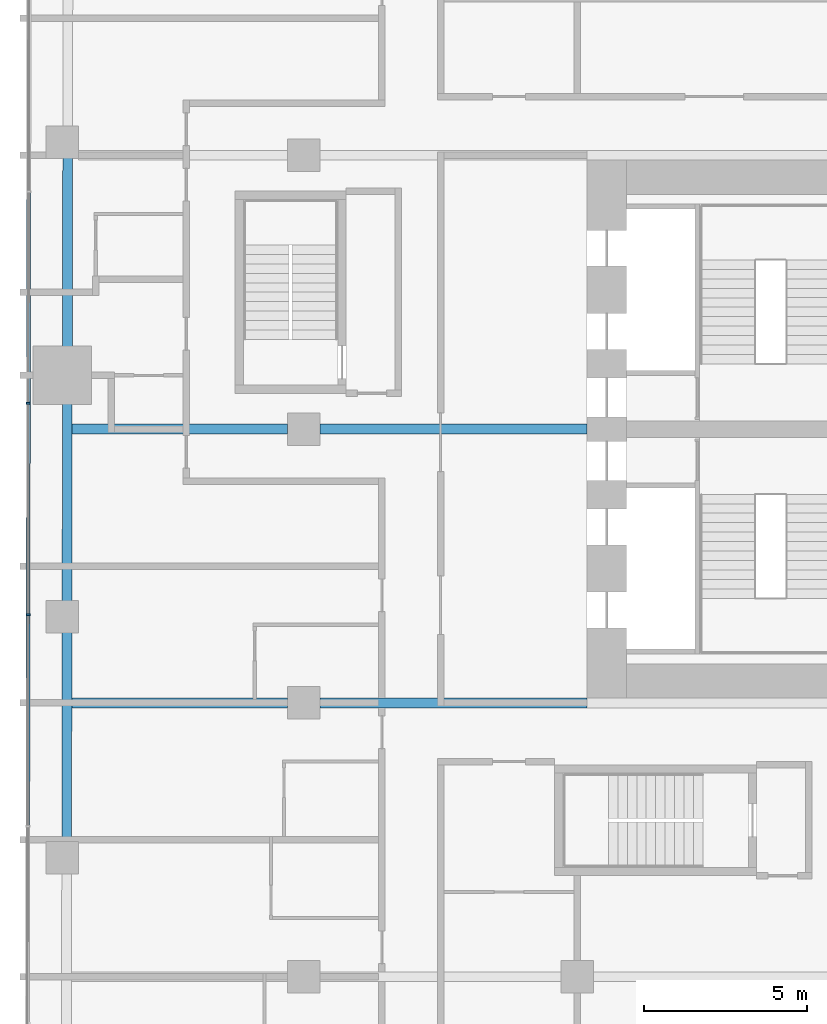
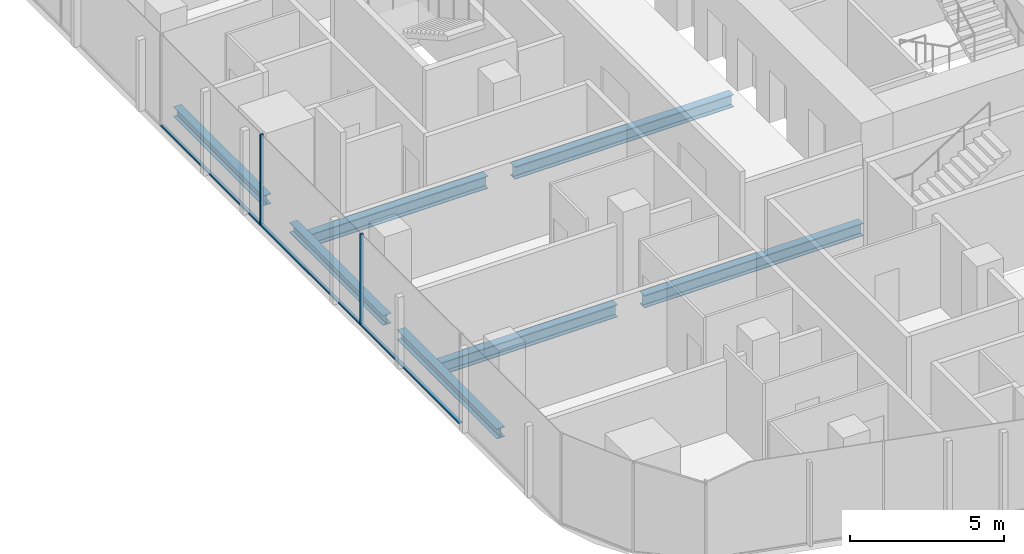
# One storey, part 4 of 26: 7 beams, 5 members, 1 element without a shape of its own.
"""IFC4 building model written with IfcOpenShell, lengths in metres."""

import ifcopenshell
import ifcopenshell.guid

model = None  # the IFC model being written
_history = None  # IfcOwnerHistory: only IFC2X3 demands one
_inside = {}  # id of a spatial element -> (the spatial element, [elements in it])
_under = {}  # id of a project, library or spatial element -> (it, [spatial elements below it])
_declared = {}  # id of a project -> (the project, [libraries it declares])
_typed = {}  # id of a type object -> (the type object, [elements of that type])
_made_of = {}  # id of a material, layer set ... -> (it, [elements and type objects made of it])


def new_model(schema):
    """Start an empty IFC model of exactly this schema.

    Asked for "IFC4X3", IfcOpenShell would pick the latest addendum, in which some entities
    have other attributes; the version numbers below select the first issue.
    IFC2X3 requires an IfcOwnerHistory on every rooted entity: one is made here for all.
    """
    global model, _history
    if schema == "IFC4X3":
        model = ifcopenshell.file(schema_version=(4, 3, 0, 0))
    else:
        model = ifcopenshell.file(schema=schema)
    _inside.clear()
    _under.clear()
    _declared.clear()
    _typed.clear()
    _made_of.clear()
    _history = None
    if model.schema == "IFC2X3":
        org = make("IfcOrganization", Name="unknown")
        user = make(
            "IfcPersonAndOrganization",
            ThePerson=make("IfcPerson", FamilyName="unknown"),
            TheOrganization=org,
        )
        app = make(
            "IfcApplication",
            ApplicationDeveloper=org,
            Version="unknown",
            ApplicationFullName="unknown",
            ApplicationIdentifier="unknown",
        )
        _history = make(
            "IfcOwnerHistory",
            OwningUser=user,
            OwningApplication=app,
            ChangeAction="ADDED",
            CreationDate=0,
        )
    return model


def make(cls, **values):
    """One entity of the class cls with the attributes given. An attribute that is None is left unset."""
    return model.create_entity(
        cls, **{name: value for name, value in values.items() if value is not None}
    )


def rooted(cls, **values):
    """An entity with a GlobalId (a new one), such as an element, a storey or a relation."""
    return make(cls, GlobalId=ifcopenshell.guid.new(), OwnerHistory=_history, **values)


def si_unit(unit_type, name, prefix=None):
    """IfcSIUnit, for example si_unit("LENGTHUNIT", "METRE", prefix="MILLI")."""
    return make("IfcSIUnit", UnitType=unit_type, Prefix=prefix, Name=name)


def assignment(units):
    """IfcUnitAssignment: the units of a project."""
    return None if units is None else make("IfcUnitAssignment", Units=units)


def point(xyz):
    """IfcCartesianPoint."""
    return None if xyz is None else make("IfcCartesianPoint", Coordinates=xyz)


def direction(xyz):
    """IfcDirection."""
    return None if xyz is None else make("IfcDirection", DirectionRatios=xyz)


def frame(location, z_axis=None, x_axis=None):
    """IfcAxis2Placement3D, a coordinate frame: its origin and axes. An axis left out is left unset."""
    return make(
        "IfcAxis2Placement3D",
        Location=point(location),
        Axis=direction(z_axis),
        RefDirection=direction(x_axis),
    )


def frame_2d(location, x_axis=None):
    """IfcAxis2Placement2D, a coordinate frame in the plane: its origin and x axis."""
    return make(
        "IfcAxis2Placement2D", Location=point(location), RefDirection=direction(x_axis)
    )


def origin():
    """The frame at (0, 0, 0) with its axes left unset."""
    return frame((0.0, 0.0, 0.0))


def origin_2d():
    """The frame at (0, 0) in the plane with its x axis left unset."""
    return frame_2d((0.0, 0.0))


def place(relative_to, where):
    """IfcLocalPlacement: puts the frame where relative to a parent placement (None: the world)."""
    return make(
        "IfcLocalPlacement", PlacementRelTo=relative_to, RelativePlacement=where
    )


def context(
    kind, dimensions, precision=None, world=None, true_north=None, identifier=None
):
    """IfcGeometricRepresentationContext, for example the 3D "Model" context."""
    return make(
        "IfcGeometricRepresentationContext",
        ContextIdentifier=identifier,
        ContextType=kind,
        CoordinateSpaceDimension=dimensions,
        Precision=precision,
        WorldCoordinateSystem=world,
        TrueNorth=true_north,
    )


def subcontext(parent, identifier, kind, view, scale=None):
    """IfcGeometricRepresentationSubContext, for example "Body" below "Model"."""
    return make(
        "IfcGeometricRepresentationSubContext",
        ContextIdentifier=identifier,
        ContextType=kind,
        ParentContext=parent,
        TargetScale=scale,
        TargetView=view,
    )


def project(units=None, contexts=None):
    """IfcProject with its units and contexts."""
    return rooted(
        "IfcProject",
        Name="project",
        RepresentationContexts=contexts,
        UnitsInContext=assignment(units),
    )


def spatial(cls, under=None, at=None, **own):
    """A site, building, storey or space (cls), placed at a placement, below another one or the project."""
    s = rooted(cls, ObjectPlacement=at, **own)
    if under is not None:
        _under.setdefault(under.id(), (under, []))[1].append(s)
    return s


def profile(cls, at=None, kind="AREA", **sizes):
    """A parametric profile (cls). Its sizes go by their IFC names, for example OverallWidth=200.0."""
    return make(cls, ProfileType=kind, Position=at, **sizes)


def rectangle(**sizes):
    """IfcRectangleProfileDef."""
    return profile("IfcRectangleProfileDef", **sizes)


def i_section(**sizes):
    """IfcIShapeProfileDef."""
    return profile("IfcIShapeProfileDef", **sizes)


def extrude(swept, where, along, depth):
    """IfcExtrudedAreaSolid: the profile swept, set in the frame where, extruded along a direction by depth."""
    return make(
        "IfcExtrudedAreaSolid",
        SweptArea=swept,
        Position=where,
        ExtrudedDirection=direction(along),
        Depth=depth,
    )


def shape(context_of_items, identifier, shape_type, items):
    """IfcShapeRepresentation: the items that make up one representation, for example the "Body"."""
    return make(
        "IfcShapeRepresentation",
        ContextOfItems=context_of_items,
        RepresentationIdentifier=identifier,
        RepresentationType=shape_type,
        Items=items,
    )


def material(Name=None, Category=None):
    """IfcMaterial."""
    return make("IfcMaterial", Name=Name, Category=Category)


def layer(
    of_material, thickness, ventilated=None, Name=None, Category=None, Priority=None
):
    """IfcMaterialLayer: one layer of a wall or slab, of a material (None: an air gap)."""
    return make(
        "IfcMaterialLayer",
        Material=of_material,
        LayerThickness=thickness,
        IsVentilated=ventilated,
        Name=Name,
        Category=Category,
        Priority=Priority,
    )


def layer_set(layers, Name=None):
    """IfcMaterialLayerSet."""
    return make("IfcMaterialLayerSet", MaterialLayers=layers, LayerSetName=Name)


def material_profile(
    of_material, cross_section, Name=None, Category=None, Priority=None
):
    """IfcMaterialProfile: a cross section and its material."""
    return make(
        "IfcMaterialProfile",
        Name=Name,
        Material=of_material,
        Profile=cross_section,
        Priority=Priority,
        Category=Category,
    )


def profile_set(profiles, Name=None, composite=None):
    """IfcMaterialProfileSet."""
    return make(
        "IfcMaterialProfileSet",
        Name=Name,
        MaterialProfiles=profiles,
        CompositeProfile=composite,
    )


def made_of(thing, what):
    """Note that an element or type object is made of a material, layer set ...; save() writes the relation."""
    if what is not None:
        _made_of.setdefault(what.id(), (what, []))[1].append(thing)
    return thing


def type_object(cls, material=None, **own):
    """A type object (cls), such as IfcWallType, which elements share."""
    return made_of(rooted(cls, **own), material)


def element(
    cls,
    number,
    at=None,
    inside=None,
    cuts=None,
    type_object=None,
    material=None,
    context=None,
    identifier="Body",
    shape_type=None,
    held_by="IfcProductDefinitionShape",
    body=None,
    shapes=None,
    **own,
):
    """One element of the class cls, such as IfcWall. Its Tag is "e" and its number.

    at: its placement. inside: the storey or other place that contains it. cuts: it is an
    opening in that element (IfcRelVoidsElement). A single representation is given by context,
    identifier, shape_type and body (its items); several are given by shapes. held_by: the class
    of the entity that holds the representations. save() writes the other relations.
    """
    e = rooted(cls, Tag="e%d" % number, ObjectPlacement=at, **own)
    if body is not None:
        shapes = [shape(context, identifier, shape_type, body)]
    if shapes is not None:
        e.Representation = make(held_by, Representations=shapes)
    if inside is not None:
        _inside.setdefault(inside.id(), (inside, []))[1].append(e)
    if cuts is not None:
        rooted(
            "IfcRelVoidsElement", RelatingBuildingElement=cuts, RelatedOpeningElement=e
        )
    if type_object is not None:
        _typed.setdefault(type_object.id(), (type_object, []))[1].append(e)
    return made_of(e, material)


def aggregate(whole, parts):
    """IfcRelAggregates: a whole, such as a stair, and the parts it consists of."""
    return rooted("IfcRelAggregates", RelatingObject=whole, RelatedObjects=parts)


def save(model, path):
    """Write the relations noted so far, then the file.

    IfcRelAggregates (storeys below a building ...), IfcRelContainedInSpatialStructure (elements
    in a storey), IfcRelDefinesByType, IfcRelAssociatesMaterial and IfcRelDeclares: one each for
    every whole, place, type object, material and project.
    """
    for whole, parts in _under.values():
        aggregate(whole, parts)
    for where, things in _inside.values():
        rooted(
            "IfcRelContainedInSpatialStructure",
            RelatedElements=things,
            RelatingStructure=where,
        )
    for kind, things in _typed.values():
        rooted("IfcRelDefinesByType", RelatedObjects=things, RelatingType=kind)
    for what, things in _made_of.values():
        rooted("IfcRelAssociatesMaterial", RelatedObjects=things, RelatingMaterial=what)
    for by, libraries in _declared.values():
        rooted("IfcRelDeclares", RelatingContext=by, RelatedDefinitions=libraries)
    model.write(path)


model = new_model("IFC4")

# Units and contexts
model_context = context("Model", 3, precision=1e-05, world=origin(), true_north=direction((0.0, 1.0)))
body_context = subcontext(model_context, "Body", "Model", "MODEL_VIEW")
ifc_project = project(units=[si_unit("LENGTHUNIT", "METRE"), si_unit("AREAUNIT", "SQUARE_METRE"), si_unit("VOLUMEUNIT", "CUBIC_METRE"), si_unit("PLANEANGLEUNIT", "RADIAN"), si_unit("MASSUNIT", "GRAM", prefix="KILO")], contexts=[model_context])

# Site, building, storey
site_placement = place(None, origin())
site = spatial("IfcSite", under=ifc_project, at=site_placement, CompositionType="ELEMENT")
building_placement = place(site_placement, origin())
building = spatial("IfcBuilding", under=site, at=building_placement, Name="Marenta Gate Hotel Tower", CompositionType="ELEMENT")
storey_placement = place(building_placement, frame((0.0, 0.0, 43.699951171875)))
storey = spatial("IfcBuildingStorey", under=building, at=storey_placement, Name="L08", CompositionType="ELEMENT", Elevation=43.699951171875)

# Beams
ifc_material_1 = material(Name="Steel S355", Category="steel")
ifc_material_profile_1 = material_profile(ifc_material_1, i_section(OverallWidth=0.300048828125, OverallDepth=0.39990234375, WebThickness=0.013427734375, FlangeThickness=0.02392578125, FilletRadius=0.027099609375, at=origin_2d()), Name="HEB 400")
ifc_profile_set_1 = profile_set([ifc_material_profile_1], Name="Steel S355")
beam_type_1 = type_object("IfcBeamType", Name="Edge beam HEB 400", PredefinedType="SPANDREL", material=ifc_profile_set_1)
beam_1_placement = place(storey_placement, frame((-28.267333984375, -4.2919921875, -0.4599609375), z_axis=(0.001393753119, 0.999999028726, 0.0), x_axis=(-0.999999028726, 0.001393753119, 0.0)))
element("IfcBeam", 1, at=beam_1_placement, inside=storey, type_object=beam_type_1, Name="L08-EB-6", PredefinedType="SPANDREL", context=body_context, shape_type="SweptSolid", body=[
    extrude(i_section(OverallWidth=0.300048828125, OverallDepth=0.39990234375, WebThickness=0.013427734375, FlangeThickness=0.02392578125, FilletRadius=0.027099609375, at=origin_2d()), origin(), (0.0, 0.0, 1.0), 6.481201171875),
])
beam_2_placement = place(storey_placement, frame((-28.257080078125, 3.109130859375, -0.4599609375), z_axis=(0.001405226059, 0.999999012669, 0.0), x_axis=(-0.999999012669, 0.001405226059, 0.0)))
element("IfcBeam", 2, at=beam_2_placement, inside=storey, type_object=beam_type_1, Name="L08-EB-7", PredefinedType="SPANDREL", context=body_context, shape_type="SweptSolid", body=[
    extrude(i_section(OverallWidth=0.300048828125, OverallDepth=0.39990234375, WebThickness=0.013427734375, FlangeThickness=0.02392578125, FilletRadius=0.027099609375, at=origin_2d()), origin(), (0.0, 0.0, 1.0), 6.080810546875),
])
beam_3_placement = place(storey_placement, frame((-28.246337890625, 10.909912109375, -0.4599609375), z_axis=(0.001423009483, 0.999998987521, 0.0), x_axis=(-0.999998987521, 0.001423009483, 0.0)))
element("IfcBeam", 3, at=beam_3_placement, inside=storey, type_object=beam_type_1, Name="L08-EB-8", PredefinedType="SPANDREL", context=body_context, shape_type="SweptSolid", body=[
    extrude(i_section(OverallWidth=0.300048828125, OverallDepth=0.39990234375, WebThickness=0.013427734375, FlangeThickness=0.02392578125, FilletRadius=0.027099609375, at=origin_2d()), origin(), (0.0, 0.0, 1.0), 5.833251953125),
])
ifc_material_2 = material(Name="Steel S355", Category="steel")
ifc_material_profile_2 = material_profile(ifc_material_2, i_section(OverallWidth=0.300048828125, OverallDepth=0.5, WebThickness=0.014404296875, FlangeThickness=0.028076171875, FilletRadius=0.027099609375, at=origin_2d()), Name="HEB 500")
ifc_profile_set_2 = profile_set([ifc_material_profile_2], Name="Steel S355")
beam_type_2 = type_object("IfcBeamType", Name="Girder HEB 500", PredefinedType="BEAM", material=ifc_profile_set_2)
beam_4_placement = place(storey_placement, frame((-28.111328125, 0.0, -0.510009765625), z_axis=(1.0, 0.0, 0.0), x_axis=(0.0, 1.0, 0.0)))
element("IfcBeam", 4, at=beam_4_placement, inside=storey, type_object=beam_type_2, Name="L08-GD-8", PredefinedType="BEAM", context=body_context, shape_type="SweptSolid", body=[
    extrude(i_section(OverallWidth=0.300048828125, OverallDepth=0.5, WebThickness=0.014404296875, FlangeThickness=0.028076171875, FilletRadius=0.027099609375, at=origin_2d()), origin(), (0.0, 0.0, 1.0), 6.611328125),
])
beam_5_placement = place(storey_placement, frame((-20.5, 0.0, -0.510009765625), z_axis=(1.0, 0.0, 0.0), x_axis=(0.0, 1.0, 0.0)))
element("IfcBeam", 5, at=beam_5_placement, inside=storey, type_object=beam_type_2, Name="L08-GD-9", PredefinedType="BEAM", context=body_context, shape_type="SweptSolid", body=[
    extrude(i_section(OverallWidth=0.300048828125, OverallDepth=0.5, WebThickness=0.014404296875, FlangeThickness=0.028076171875, FilletRadius=0.027099609375, at=origin_2d()), origin(), (0.0, 0.0, 1.0), 8.199951171875),
])
beam_6_placement = place(storey_placement, frame((-28.099609375, 8.39990234375, -0.510009765625), z_axis=(1.0, 0.0, 0.0), x_axis=(0.0, 1.0, 0.0)))
element("IfcBeam", 6, at=beam_6_placement, inside=storey, type_object=beam_type_2, Name="L08-GD-13", PredefinedType="BEAM", context=body_context, shape_type="SweptSolid", body=[
    extrude(i_section(OverallWidth=0.300048828125, OverallDepth=0.5, WebThickness=0.014404296875, FlangeThickness=0.028076171875, FilletRadius=0.027099609375, at=origin_2d()), origin(), (0.0, 0.0, 1.0), 6.599609375),
])
beam_7_placement = place(storey_placement, frame((-20.5, 8.39990234375, -0.510009765625), z_axis=(1.0, 0.0, 0.0), x_axis=(0.0, 1.0, 0.0)))
element("IfcBeam", 7, at=beam_7_placement, inside=storey, type_object=beam_type_2, Name="L08-GD-14", PredefinedType="BEAM", context=body_context, shape_type="SweptSolid", body=[
    extrude(i_section(OverallWidth=0.300048828125, OverallDepth=0.5, WebThickness=0.014404296875, FlangeThickness=0.028076171875, FilletRadius=0.027099609375, at=origin_2d()), origin(), (0.0, 0.0, 1.0), 8.199951171875),
])

# Curtain wall, members
ifc_material_3 = material(Name="Tinted insulated glass in bronze anodised frame", Category="glass")
ifc_layer = layer(ifc_material_3, 0.1201171875)
ifc_layer_set = layer_set([ifc_layer], Name="Tinted insulated glass in bronze anodised frame")
curtain_wall_type = type_object("IfcCurtainWallType", Name="Tower unitised curtain wall CW1", PredefinedType="NOTDEFINED", material=ifc_layer_set)
curtain_wall_placement = place(storey_placement, origin())
curtain_wall = element("IfcCurtainWall", 8, at=curtain_wall_placement, inside=storey, type_object=curtain_wall_type, Name="CW1 run G03", PredefinedType="NOTDEFINED")
ifc_material_4 = material(Name="Bronze anodised aluminium", Category="aluminium")
ifc_material_profile_3 = material_profile(ifc_material_4, rectangle(XDim=0.1201171875, YDim=0.06005859375, at=origin_2d()), Name="Mullion CW1 60x120 bronze anodised aluminium")
ifc_profile_set_3 = profile_set([ifc_material_profile_3], Name="Bronze anodised aluminium")
member_type_1 = type_object("IfcMemberType", Name="Mullion CW1 60x120 bronze anodised aluminium", PredefinedType="MULLION", material=ifc_profile_set_3)
member_1_placement = place(storey_placement, frame((-29.44287109375, 9.195068359375, 0.0), z_axis=(0.0, 0.0, 1.0), x_axis=(0.99999877316, -0.00156642217, 0.0)))
member_1 = element("IfcMember", 9, at=member_1_placement, type_object=member_type_1, Name="CW1 mullion 4", PredefinedType="MULLION", context=body_context, shape_type="SweptSolid", body=[
    extrude(rectangle(XDim=0.1201171875, YDim=0.06005859375, at=origin_2d()), origin(), (0.0, 0.0, 1.0), 3.60009765625),
])
member_2_placement = place(storey_placement, frame((-29.452880859375, 2.704833984375, 0.0), z_axis=(0.0, 0.0, 1.0), x_axis=(0.99999877316, -0.00156642217, 0.0)))
member_2 = element("IfcMember", 10, at=member_2_placement, type_object=member_type_1, Name="CW1 mullion 5", PredefinedType="MULLION", context=body_context, shape_type="SweptSolid", body=[
    extrude(rectangle(XDim=0.1201171875, YDim=0.06005859375, at=origin_2d()), origin(), (0.0, 0.0, 1.0), 3.60009765625),
])
ifc_material_5 = material(Name="Bronze anodised aluminium", Category="aluminium")
ifc_material_profile_4 = material_profile(ifc_material_5, rectangle(XDim=0.1201171875, YDim=0.06005859375, at=origin_2d()), Name="Transom CW1 60x120 bronze anodised aluminium")
ifc_profile_set_4 = profile_set([ifc_material_profile_4], Name="Bronze anodised aluminium")
member_type_2 = type_object("IfcMemberType", Name="Transom CW1 60x120 bronze anodised aluminium", PredefinedType="USERDEFINED", material=ifc_profile_set_4)
member_3_placement = place(storey_placement, frame((-29.4326171875, 15.655517578125, 0.030029296875), z_axis=(-0.001594591541, -0.999998728638, 0.0), x_axis=(0.999998728638, -0.001594591541, 0.0)))
member_3 = element("IfcMember", 11, at=member_3_placement, type_object=member_type_2, Name="CW1 transom 3.1", ObjectType="TRANSOM", PredefinedType="USERDEFINED", context=body_context, shape_type="SweptSolid", body=[
    extrude(rectangle(XDim=0.1201171875, YDim=0.06005859375, at=origin_2d()), origin(), (0.0, 0.0, 1.0), 6.430419921875),
])
member_4_placement = place(storey_placement, frame((-29.44287109375, 9.1650390625, 0.030029296875), z_axis=(-0.001556625169, -0.999998788458, 0.0), x_axis=(0.999998788458, -0.001556625169, 0.0)))
member_4 = element("IfcMember", 12, at=member_4_placement, type_object=member_type_2, Name="CW1 transom 4.1", ObjectType="TRANSOM", PredefinedType="USERDEFINED", context=body_context, shape_type="SweptSolid", body=[
    extrude(rectangle(XDim=0.1201171875, YDim=0.06005859375, at=origin_2d()), origin(), (0.0, 0.0, 1.0), 6.430419921875),
])
member_5_placement = place(storey_placement, frame((-29.453125, 2.6748046875, 0.030029296875), z_axis=(-0.001556625169, -0.999998788458, 0.0), x_axis=(0.999998788458, -0.001556625169, 0.0)))
member_5 = element("IfcMember", 13, at=member_5_placement, type_object=member_type_2, Name="CW1 transom 5.1", ObjectType="TRANSOM", PredefinedType="USERDEFINED", context=body_context, shape_type="SweptSolid", body=[
    extrude(rectangle(XDim=0.1201171875, YDim=0.06005859375, at=origin_2d()), origin(), (0.0, 0.0, 1.0), 6.430419921875),
])
aggregate(curtain_wall, [member_1, member_2, member_3, member_4, member_5])

save(model, "model.ifc")
